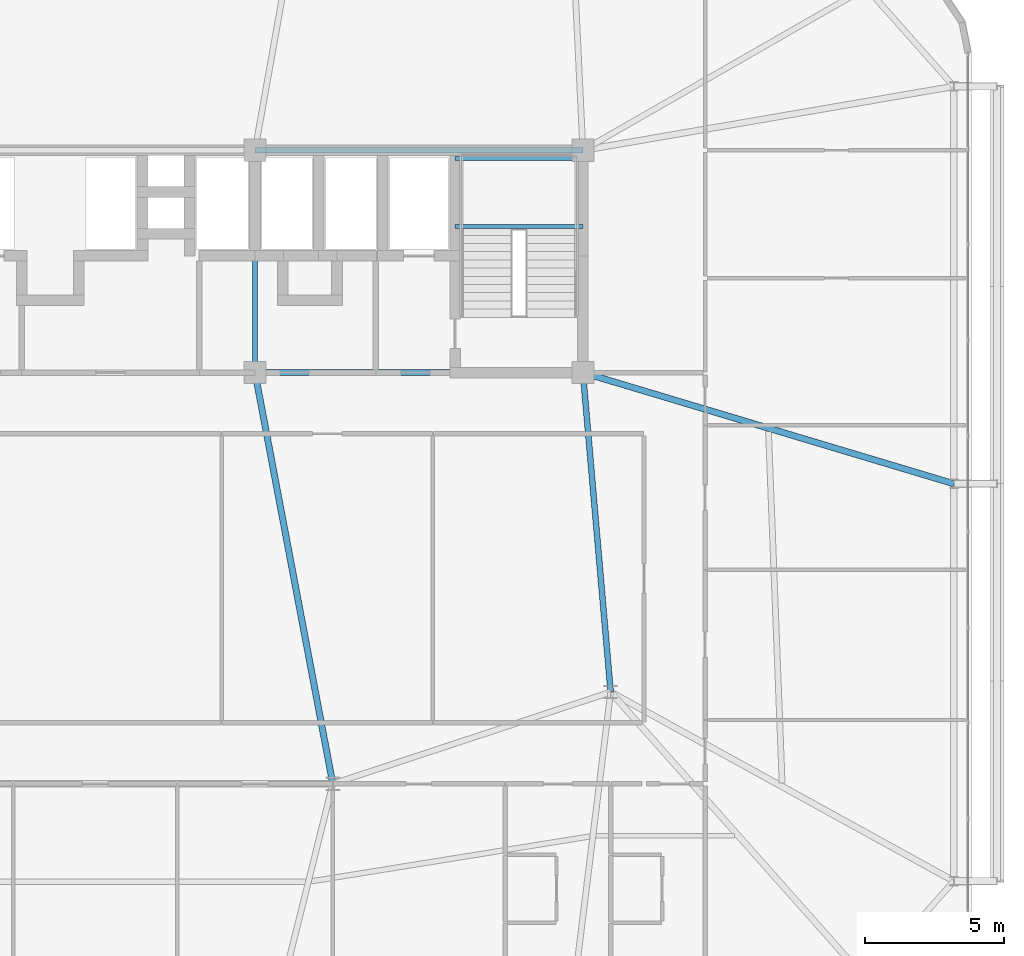
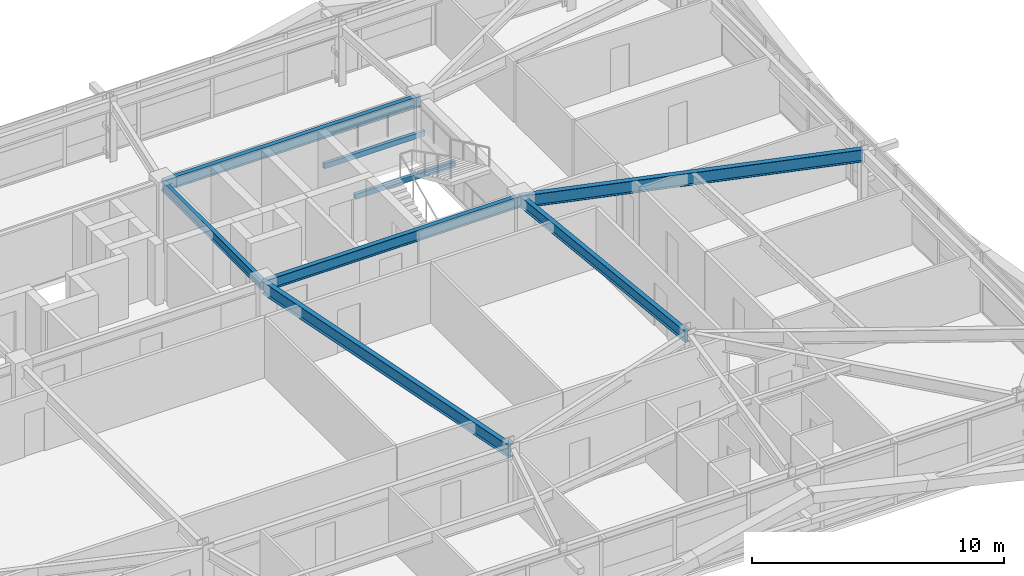
# One storey, part 29 of 58: 8 beams.
"""IFC4 building model written with IfcOpenShell, lengths in metres."""

from ifc_helpers import new_model, si_unit, direction, frame, origin, origin_2d, place, context, subcontext, project, spatial, hollow_rectangle, i_section, extrude, source, transform, mapped, material, material_profile, profile_set, type_object, element, save


model = new_model("IFC4")

# Units and contexts
model_context = context("Model", 3, precision=1e-05, world=origin(), true_north=direction((0.0, 1.0)))
body_context = subcontext(model_context, "Body", "Model", "MODEL_VIEW")
ifc_project = project(units=[si_unit("LENGTHUNIT", "METRE"), si_unit("AREAUNIT", "SQUARE_METRE"), si_unit("VOLUMEUNIT", "CUBIC_METRE"), si_unit("PLANEANGLEUNIT", "RADIAN"), si_unit("MASSUNIT", "GRAM", prefix="KILO")], contexts=[model_context])

# Site, building, storey
site_placement = place(None, origin())
site = spatial("IfcSite", under=ifc_project, at=site_placement, CompositionType="ELEMENT")
building_placement = place(site_placement, origin())
building = spatial("IfcBuilding", under=site, at=building_placement, Name="Taldren Reach Tower", CompositionType="ELEMENT")
storey_placement = place(building_placement, frame((0.0, 0.0, 51.449951171875)))
storey = spatial("IfcBuildingStorey", under=building, at=storey_placement, Name="L15", CompositionType="ELEMENT", Elevation=51.449951171875)

# Beams
ifc_material_1 = material(Name="Steel Gr 350 (350PLUS)", Category="steel")
ifc_material_profile_1 = material_profile(ifc_material_1, i_section(OverallWidth=0.208984375, OverallDepth=0.532958984375, WebThickness=0.01025390625, FlangeThickness=0.015625, at=origin_2d()), Name="530UB92.4")
ifc_profile_set_1 = profile_set([ifc_material_profile_1], Name="Steel Gr 350 (350PLUS)")
beam_type_1 = type_object("IfcBeamType", Name="BM-UB530A", PredefinedType="BEAM", material=ifc_profile_set_1)
shared_shape_1 = source(origin(), body_context, "Body", "SweptSolid", [
    extrude(i_section(OverallWidth=0.208984375, OverallDepth=0.532958984375, WebThickness=0.01025390625, FlangeThickness=0.015625, at=origin_2d()), origin(), (0.0, 0.0, 1.0), 11.800048828125),
])
for number, where, z_axis, x_axis, name in (
    (1, (39.199951171875, 24.0, 2.66357421875), (1.0, 0.0, 0.0), (0.0, 1.0, 0.0), "Core-spine girder L15-SP03"),
    (2, (39.199951171875, 32.0, 2.66357421875), (1.0, 0.0, 0.0), (0.0, 1.0, 0.0), "Core-spine girder L15-SP06"),
):
    element("IfcBeam", number, at=place(storey_placement, frame(where, z_axis=z_axis, x_axis=x_axis)), inside=storey, type_object=beam_type_1, Name=name, PredefinedType="BEAM", context=body_context, shape_type="MappedRepresentation", body=[
        mapped(shared_shape_1, transform((0.0, 0.0, 0.0), scale=1.0)),
    ])
ifc_material_profile_2 = material_profile(ifc_material_1, i_section(OverallWidth=0.19091796875, OverallDepth=0.4599609375, WebThickness=0.010009765625, FlangeThickness=0.01611328125, at=origin_2d()), Name="460UB82.1")
ifc_profile_set_2 = profile_set([ifc_material_profile_2], Name="Steel Gr 350 (350PLUS)")
beam_type_2 = type_object("IfcBeamType", Name="BM-UB460A", PredefinedType="BEAM", material=ifc_profile_set_2)
shared_shape_2 = source(origin(), body_context, "Body", "SweptSolid", [
    extrude(i_section(OverallWidth=0.19091796875, OverallDepth=0.4599609375, WebThickness=0.010009765625, FlangeThickness=0.01611328125, at=origin_2d()), origin(), (0.0, 0.0, 1.0), 8.0),
])
beam_1_placement = place(storey_placement, frame((39.199951171875, 24.0, 2.699951171875), z_axis=(0.0, 1.0, 0.0), x_axis=(-1.0, 0.0, 0.0)))
element("IfcBeam", 3, at=beam_1_placement, inside=storey, type_object=beam_type_2, Name="Core-spine girder L15-SP08", PredefinedType="BEAM", context=body_context, shape_type="MappedRepresentation", body=[
    mapped(shared_shape_2, transform((0.0, 0.0, 0.0), scale=1.0)),
])
shared_shape_3 = source(origin(), body_context, "Body", "SweptSolid", [
    extrude(i_section(OverallWidth=0.208984375, OverallDepth=0.532958984375, WebThickness=0.01025390625, FlangeThickness=0.015625, at=origin_2d()), origin(), (0.0, 0.0, 1.0), 11.54345703125),
])
beam_2_placement = place(storey_placement, frame((52.0, 12.5, 2.66357421875), z_axis=(-0.086629616365, 0.996240588196, 0.0), x_axis=(-0.996240588196, -0.086629616365, 0.0)))
element("IfcBeam", 4, at=beam_2_placement, inside=storey, type_object=beam_type_1, Name="Core-spine girder L15-SP13", PredefinedType="BEAM", context=body_context, shape_type="MappedRepresentation", body=[
    mapped(shared_shape_3, transform((0.0, 0.0, 0.0), scale=1.0)),
])
ifc_material_profile_3 = material_profile(ifc_material_1, i_section(OverallWidth=0.22802734375, OverallDepth=0.60205078125, WebThickness=0.010498046875, FlangeThickness=0.014892578125, at=origin_2d()), Name="610UB101")
ifc_profile_set_3 = profile_set([ifc_material_profile_3], Name="Steel Gr 350 (350PLUS)")
beam_type_3 = type_object("IfcBeamType", Name="BM-UB610B", PredefinedType="BEAM", material=ifc_profile_set_3)
shared_shape_4 = source(origin(), body_context, "Body", "SweptSolid", [
    extrude(i_section(OverallWidth=0.22802734375, OverallDepth=0.60205078125, WebThickness=0.010498046875, FlangeThickness=0.014892578125, at=origin_2d()), origin(), (0.0, 0.0, 1.0), 15.0625),
])
beam_3_placement = place(storey_placement, frame((39.199951171875, 24.0, 2.629150390625), z_axis=(0.185894205668, -0.982569765614, 0.0), x_axis=(0.982569765614, 0.185894205668, 0.0)))
element("IfcBeam", 5, at=beam_3_placement, inside=storey, type_object=beam_type_3, Name="Core-spine girder L15-SP15", PredefinedType="BEAM", context=body_context, shape_type="MappedRepresentation", body=[
    mapped(shared_shape_4, transform((0.0, 0.0, 0.0), scale=1.0)),
])
shared_shape_5 = source(origin(), body_context, "Body", "SweptSolid", [
    extrude(i_section(OverallWidth=0.22802734375, OverallDepth=0.60205078125, WebThickness=0.010498046875, FlangeThickness=0.014892578125, at=origin_2d()), origin(), (0.0, 0.0, 1.0), 13.9365234375),
])
beam_4_placement = place(storey_placement, frame((51.0, 24.0, 2.629150390625), z_axis=(0.957925550891, -0.287016792104, 0.0), x_axis=(0.287016792104, 0.957925550891, 0.0)))
element("IfcBeam", 6, at=beam_4_placement, inside=storey, type_object=beam_type_3, Name="Primary floor girder B1-E2 L15", PredefinedType="BEAM", context=body_context, shape_type="MappedRepresentation", body=[
    mapped(shared_shape_5, transform((0.0, 0.0, 0.0), scale=1.0)),
])
ifc_material_2 = material(Name="Steel Gr 350 (C350L0)", Category="steel")
ifc_material_profile_4 = material_profile(ifc_material_2, hollow_rectangle(XDim=0.14990234375, YDim=0.25, WallThickness=0.009033203125, at=origin_2d()), Name="250x150x9.0RHS")
ifc_profile_set_4 = profile_set([ifc_material_profile_4], Name="Steel Gr 350 (C350L0)")
beam_type_4 = type_object("IfcBeamType", Name="LN-RHS250", PredefinedType="LINTEL", material=ifc_profile_set_4)
shared_shape_6 = source(origin(), body_context, "Body", "SweptSolid", [
    extrude(hollow_rectangle(XDim=0.14990234375, YDim=0.25, WallThickness=0.009033203125, at=origin_2d()), origin(), (0.0, 0.0, 1.0), 4.60009765625),
])
for number, where, z_axis, x_axis, name in (
    (7, (46.39990234375, 29.2548828125, 1.27001953125), (1.0, 0.0, 0.0), (0.0, 1.0, 0.0), "Stair half-landing support beam ST2-L15-1"),
    (8, (46.39990234375, 31.699951171875, 1.27001953125), (1.0, 0.0, 0.0), (0.0, 1.0, 0.0), "Stair half-landing support beam ST2-L15-2"),
):
    element("IfcBeam", number, at=place(storey_placement, frame(where, z_axis=z_axis, x_axis=x_axis)), inside=storey, type_object=beam_type_4, Name=name, PredefinedType="LINTEL", context=body_context, shape_type="MappedRepresentation", body=[
        mapped(shared_shape_6, transform((0.0, 0.0, 0.0), scale=1.0)),
    ])

save(model, "model.ifc")
